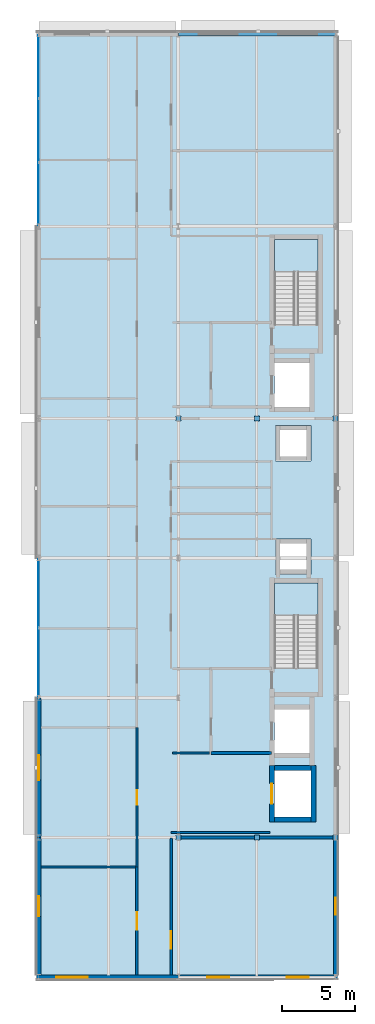
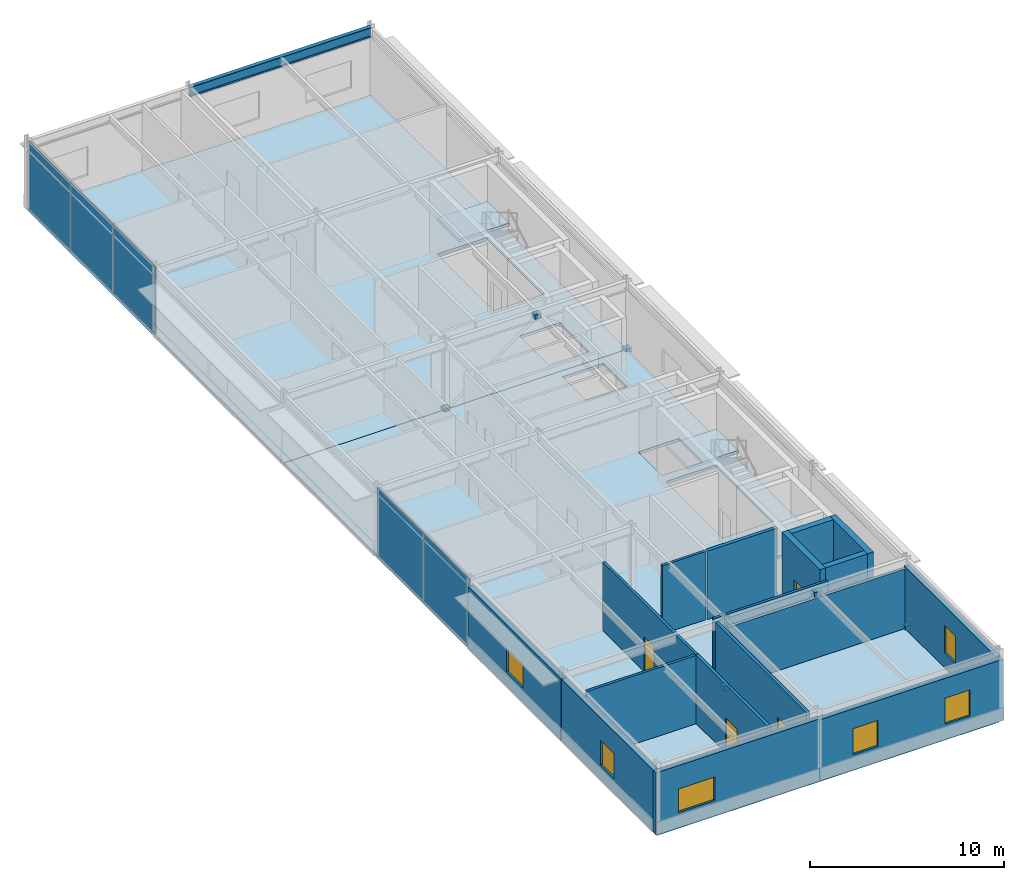
# One storey, part 11 of 17: 17 walls, 11 plates, 6 windows, 4 doors, 4 slabs, 1 beam, 10 openings, 4 elements without a shape of their own.
"""IFC4 building model written with IfcOpenShell, lengths in metres."""

from ifc_helpers import new_model, si_unit, direction, frame, frame_2d, origin, origin_2d, place, context, subcontext, project, spatial, polyline, rectangle, i_section, outline, extrude, material, layer, layer_set, material_profile, profile_set, type_object, element, fill, aggregate, save


model = new_model("IFC4")

# Units and contexts
model_context = context("Model", 3, precision=1e-05, world=origin(), true_north=direction((0.0, 1.0)))
body_context = subcontext(model_context, "Body", "Model", "MODEL_VIEW")
ifc_project = project(units=[si_unit("LENGTHUNIT", "METRE"), si_unit("AREAUNIT", "SQUARE_METRE"), si_unit("VOLUMEUNIT", "CUBIC_METRE"), si_unit("PLANEANGLEUNIT", "RADIAN"), si_unit("MASSUNIT", "GRAM", prefix="KILO")], contexts=[model_context])

# Site, building, storey
site_placement = place(None, origin())
site = spatial("IfcSite", under=ifc_project, at=site_placement, CompositionType="ELEMENT")
building_placement = place(site_placement, origin())
building = spatial("IfcBuilding", under=site, at=building_placement, Name="Almandine Court Research Institute", CompositionType="ELEMENT")
storey_placement = place(building_placement, frame((0.0, 0.0, 32.550048828125)))
storey = spatial("IfcBuildingStorey", under=building, at=storey_placement, Name="L07", CompositionType="ELEMENT", Elevation=32.550048828125)

# Beam
ifc_material_1 = material(Name="Steel ASTM A992 Grade 50", Category="steel")
ifc_material_profile = material_profile(ifc_material_1, i_section(OverallWidth=0.22998046875, OverallDepth=0.616943359375, WebThickness=0.012939453125, FlangeThickness=0.02197265625, at=origin_2d()), Name="W610x140")
ifc_profile_set = profile_set([ifc_material_profile], Name="Steel ASTM A992 Grade 50")
beam_type = type_object("IfcBeamType", Name="Beam-G-02", PredefinedType="BEAM", material=ifc_profile_set)
beam_placement = place(storey_placement, frame((163.199951171875, 70.800048828125, 4.013916015625), z_axis=(1.0, 0.0, 0.0), x_axis=(0.0, 1.0, 0.0)))
element("IfcBeam", 1, at=beam_placement, inside=storey, type_object=beam_type, Name="L07 V4 Primary X Girder", PredefinedType="BEAM", context=body_context, shape_type="SweptSolid", body=[
    extrude(i_section(OverallWidth=0.22998046875, OverallDepth=0.616943359375, WebThickness=0.012939453125, FlangeThickness=0.02197265625, at=origin_2d()), origin(), (0.0, 0.0, 1.0), 10.800048828125),
])

# Curtain wall, plates
ifc_material_2 = material(Name="Unitised Curtain Wall Framing and Solar Glazing", Category="glass")
curtain_wall_type_1 = type_object("IfcCurtainWallType", Name="CW-CWJ-09", PredefinedType="USERDEFINED", material=ifc_material_2)
curtain_wall_1_placement = place(storey_placement, origin())
curtain_wall_1 = element("IfcCurtainWall", 2, at=curtain_wall_1_placement, inside=storey, type_object=curtain_wall_type_1, Name="L07 Wet Lab West Courtyard Jali Curtain Wall 3", ObjectType="SOLAR JALI SCREEN", PredefinedType="USERDEFINED")
ifc_material_3 = material(Name="Perforated Ochre Terracotta Jali Solar Cassette", Category="masonry")
ifc_layer_1 = layer(ifc_material_3, 0.035888671875)
ifc_layer_set_1 = layer_set([ifc_layer_1], Name="Perforated Ochre Terracotta Jali Solar Cassette")
plate_type_1 = type_object("IfcPlateType", Name="CWPnl-JALI-36", PredefinedType="CURTAIN_PANEL", material=ifc_layer_set_1)
plate_1_placement = place(storey_placement, frame((153.60009765625, 27.6181640625, 0.06494140625), z_axis=(0.0, 0.0, 1.0), x_axis=(0.0, 1.0, 0.0)))
plate_1 = element("IfcPlate", 3, at=plate_1_placement, type_object=plate_type_1, Name="CWJ-09 panel 1.1", PredefinedType="CURTAIN_PANEL", context=body_context, shape_type="SweptSolid", body=[
    extrude(rectangle(XDim=4.698486328125, YDim=0.035888671875, at=origin_2d()), origin(), (0.0, 0.0, 1.0), 4.239990234375),
])
plate_2_placement = place(storey_placement, frame((153.60009765625, 32.3818359375, 0.06494140625), z_axis=(0.0, 0.0, 1.0), x_axis=(0.0, 1.0, 0.0)))
plate_2 = element("IfcPlate", 4, at=plate_2_placement, type_object=plate_type_1, Name="CWJ-09 panel 2.1", PredefinedType="CURTAIN_PANEL", context=body_context, shape_type="SweptSolid", body=[
    extrude(rectangle(XDim=4.698486328125, YDim=0.035888671875, at=origin_2d()), origin(), (0.0, 0.0, 1.0), 4.239990234375),
])
aggregate(curtain_wall_1, [plate_1, plate_2])

curtain_wall_type_2 = type_object("IfcCurtainWallType", Name="CW-CWJ-16", PredefinedType="USERDEFINED", material=ifc_material_2)
curtain_wall_2_placement = place(storey_placement, origin())
curtain_wall_2 = element("IfcCurtainWall", 5, at=curtain_wall_2_placement, inside=storey, type_object=curtain_wall_type_2, Name="L07 Wet Lab West Courtyard Jali Curtain Wall 6", ObjectType="SOLAR JALI SCREEN", PredefinedType="USERDEFINED")
plate_3_placement = place(storey_placement, frame((153.60009765625, 59.81884765625, 0.06494140625), z_axis=(0.0, 0.0, 1.0), x_axis=(0.0, 1.0, 0.0)))
plate_3 = element("IfcPlate", 6, at=plate_3_placement, type_object=plate_type_1, Name="CWJ-16 panel 1.1", PredefinedType="CURTAIN_PANEL", context=body_context, shape_type="SweptSolid", body=[
    extrude(rectangle(XDim=4.2998046875, YDim=0.035888671875, at=origin_2d()), origin(), (0.0, 0.0, 1.0), 4.239990234375),
])
plate_4_placement = place(storey_placement, frame((153.60009765625, 64.199951171875, 0.06494140625), z_axis=(0.0, 0.0, 1.0), x_axis=(0.0, 1.0, 0.0)))
plate_4 = element("IfcPlate", 7, at=plate_4_placement, type_object=plate_type_1, Name="CWJ-16 panel 2.1", PredefinedType="CURTAIN_PANEL", context=body_context, shape_type="SweptSolid", body=[
    extrude(rectangle(XDim=4.332275390625, YDim=0.035888671875, at=origin_2d()), origin(), (0.0, 0.0, 1.0), 4.239990234375),
])
plate_5_placement = place(storey_placement, frame((153.60009765625, 68.5810546875, 0.06494140625), z_axis=(0.0, 0.0, 1.0), x_axis=(0.0, 1.0, 0.0)))
plate_5 = element("IfcPlate", 8, at=plate_5_placement, type_object=plate_type_1, Name="CWJ-16 panel 3.1", PredefinedType="CURTAIN_PANEL", context=body_context, shape_type="SweptSolid", body=[
    extrude(rectangle(XDim=4.2998046875, YDim=0.035888671875, at=origin_2d()), origin(), (0.0, 0.0, 1.0), 4.239990234375),
])
aggregate(curtain_wall_2, [plate_3, plate_4, plate_5])

# Plates
ifc_material_4 = material(Name="Steel ASTM A36", Category="steel")
ifc_layer_2 = layer(ifc_material_4, 0.280029296875)
ifc_layer_set_2 = layer_set([ifc_layer_2], Name="Steel ASTM A36")
plate_type_2 = type_object("IfcPlateType", Name="Plate-NPI-03", PredefinedType="SHEET", material=ifc_layer_set_2)
for number, where, z_axis, x_axis, name in (
    (9, (163.199951171875, 15.60009765625, -0.1201171875), (0.0, 0.0, 1.0), (1.0, 0.0, 0.0), "L07 Seismic Brace Gusset Cap Plate V4-BF1-BL"),
    (10, (174.0, 15.60009765625, -0.1201171875), (0.0, 0.0, 1.0), (1.0, 0.0, 0.0), "L07 Seismic Brace Gusset Cap Plate V4-BF1-BR"),
    (11, (168.60009765625, 15.60009765625, 3.91015625), (0.0, 0.0, 1.0), (1.0, 0.0, 0.0), "L07 Seismic Brace Gusset Cap Plate V4-BF1-AP"),
    (12, (163.199951171875, 44.39990234375, -0.1201171875), (0.0, 0.0, 1.0), (1.0, 0.0, 0.0), "L07 Seismic Brace Gusset Cap Plate V4-BF2-BL"),
    (13, (174.0, 44.39990234375, -0.1201171875), (0.0, 0.0, 1.0), (1.0, 0.0, 0.0), "L07 Seismic Brace Gusset Cap Plate V4-BF2-BR"),
    (14, (168.60009765625, 44.39990234375, 3.91015625), (0.0, 0.0, 1.0), (1.0, 0.0, 0.0), "L07 Seismic Brace Gusset Cap Plate V4-BF2-AP"),
):
    element("IfcPlate", number, at=place(storey_placement, frame(where, z_axis=z_axis, x_axis=x_axis)), inside=storey, type_object=plate_type_2, Name=name, PredefinedType="SHEET", context=body_context, shape_type="SweptSolid", body=[
        extrude(rectangle(XDim=0.340087890625, YDim=0.340087890625, at=origin_2d()), origin(), (0.0, 0.0, 1.0), 0.280029296875),
    ])

# Slabs
ifc_material_5 = material(Name="Concrete C35/45", Category="concrete")
ifc_layer_3 = layer(ifc_material_5, 0.1650390625)
ifc_layer_set_3 = layer_set([ifc_layer_3], Name="Concrete C35/45")
slab_type_1 = type_object("IfcSlabType", Name="Slab-FLR-165", PredefinedType="FLOOR", material=ifc_layer_set_3)
slab_1_placement = place(storey_placement, frame((0.0, 0.0, -0.1650390625)))
element("IfcSlab", 15, at=slab_1_placement, inside=storey, type_object=slab_type_1, Name="L07 Volume 4 Wet Laboratory S Floor Slab", PredefinedType="FLOOR", context=body_context, shape_type="SweptSolid", body=[
    extrude(outline(polyline([(153.60009765625, 6.0), (174.0, 6.0), (174.0, 44.39990234375), (153.60009765625, 44.39990234375), (153.60009765625, 6.0)]), holes=[polyline([(172.800048828125, 27.25), (172.800048828125, 33.10009765625), (169.800048828125, 33.10009765625), (169.800048828125, 27.25), (172.800048828125, 27.25)]), polyline([(169.800048828125, 21.39990234375), (172.199951171875, 21.39990234375), (172.199951171875, 24.39990234375), (169.800048828125, 24.39990234375), (169.800048828125, 21.39990234375)]), polyline([(169.800048828125, 17.0), (172.300048828125, 17.0), (172.300048828125, 20.199951171875), (169.800048828125, 20.199951171875), (169.800048828125, 17.0)]), polyline([(169.8798828125, 33.679931640625), (172.320068359375, 33.679931640625), (172.320068359375, 36.1201171875), (169.8798828125, 36.1201171875), (169.8798828125, 33.679931640625)]), polyline([(169.8798828125, 41.47998046875), (172.320068359375, 41.47998046875), (172.320068359375, 43.919921875), (169.8798828125, 43.919921875), (169.8798828125, 41.47998046875)])]), origin(), (0.0, 0.0, 1.0), 0.1650390625),
])
slab_2_placement = place(storey_placement, frame((0.0, 0.0, -0.1650390625)))
element("IfcSlab", 16, at=slab_2_placement, inside=storey, type_object=slab_type_1, Name="L07 Volume 4 Wet Laboratory N Floor Slab", PredefinedType="FLOOR", context=body_context, shape_type="SweptSolid", body=[
    extrude(outline(polyline([(153.60009765625, 44.39990234375), (174.0, 44.39990234375), (174.0, 70.800048828125), (153.60009765625, 70.800048828125), (153.60009765625, 44.39990234375)]), holes=[polyline([(172.800048828125, 50.85009765625), (172.800048828125, 56.699951171875), (169.800048828125, 56.699951171875), (169.800048828125, 50.85009765625), (172.800048828125, 50.85009765625)]), polyline([(169.800048828125, 45.199951171875), (172.199951171875, 45.199951171875), (172.199951171875, 48.199951171875), (169.800048828125, 48.199951171875), (169.800048828125, 45.199951171875)])]), origin(), (0.0, 0.0, 1.0), 0.1650390625),
])

# Stair, slab
stair_type = type_object("IfcStairType", Name="Stair-Core-26R", PredefinedType="HALF_TURN_STAIR", material=ifc_material_5)
stair_1_placement = place(storey_placement, origin())
stair_1 = element("IfcStair", 17, at=stair_1_placement, inside=storey, type_object=stair_type, Name="L07 Wet Lab South High-Rise Core Stair", PredefinedType="HALF_TURN_STAIR")
ifc_layer_4 = layer(ifc_material_5, 0.179931640625)
ifc_layer_set_4 = layer_set([ifc_layer_4], Name="Concrete C35/45")
slab_type_2 = type_object("IfcSlabType", Name="Slab-Landing-180", PredefinedType="LANDING", material=ifc_layer_set_4)
slab_3_placement = place(storey_placement, frame((0.0, 0.0, 2.094970703125)))
slab_3 = element("IfcSlab", 18, at=slab_3_placement, type_object=slab_type_2, Name="ST-07 landing 1", PredefinedType="LANDING", context=body_context, shape_type="SweptSolid", body=[
    extrude(outline(polyline([(172.800048828125, 30.85009765625), (172.800048828125, 33.10009765625), (169.800048828125, 33.10009765625), (169.800048828125, 30.85009765625), (172.800048828125, 30.85009765625)])), origin(), (0.0, 0.0, 1.0), 0.179931640625),
])
aggregate(stair_1, [slab_3])

stair_2_placement = place(storey_placement, origin())
stair_2 = element("IfcStair", 19, at=stair_2_placement, inside=storey, type_object=stair_type, Name="L07 Wet Lab Central High-Rise Core Stair", PredefinedType="HALF_TURN_STAIR")
slab_4_placement = place(storey_placement, frame((0.0, 0.0, 2.094970703125)))
slab_4 = element("IfcSlab", 20, at=slab_4_placement, type_object=slab_type_2, Name="ST-08 landing 1", PredefinedType="LANDING", context=body_context, shape_type="SweptSolid", body=[
    extrude(outline(polyline([(172.800048828125, 54.449951171875), (172.800048828125, 56.699951171875), (169.800048828125, 56.699951171875), (169.800048828125, 54.449951171875), (172.800048828125, 54.449951171875)])), origin(), (0.0, 0.0, 1.0), 0.179931640625),
])
aggregate(stair_2, [slab_4])

# Wall, opening, window
ifc_material_6 = material(Name="Insulated Ochre Terracotta Rainscreen Wall", Category="masonry")
ifc_layer_5 = layer(ifc_material_6, 0.2900390625)
ifc_layer_set_5 = layer_set([ifc_layer_5], Name="Insulated Ochre Terracotta Rainscreen Wall")
wall_type_1 = type_object("IfcWallType", Name="Wall-EXT-TERR-290", PredefinedType="SOLIDWALL", material=ifc_layer_set_5)
wall_1_placement = place(storey_placement, frame((153.60009765625, 6.14892578125, 0.0), z_axis=(0.0, 0.0, 1.0), x_axis=(0.0, 1.0, 0.0)))
wall_1 = element("IfcWall", 21, at=wall_1_placement, inside=storey, type_object=wall_type_1, Name="L07 Wet Lab West Facade Wall 1", PredefinedType="SOLIDWALL", context=body_context, shape_type="SweptSolid", body=[
    extrude(rectangle(XDim=9.447021484375, YDim=0.2900390625, at=frame_2d((4.7236328125, 0.0))), origin(), (0.0, 0.0, 1.0), 3.908935546875),
])
opening_1_placement = place(wall_1_placement, frame((4.033935546875, 0.0, 0.949951171875)))
opening_1 = element("IfcOpeningElement", 22, at=opening_1_placement, cuts=wall_1, Name="Opening WN-75", PredefinedType="OPENING", context=body_context, shape_type="SweptSolid", body=[
    extrude(rectangle(XDim=1.3798828125, YDim=1.56005859375, at=frame_2d((0.68994140625, 0.780029296875))), frame((0.0, 0.155029296875, 0.0), z_axis=(0.0, -1.0, 0.0), x_axis=(1.0, 0.0, 0.0)), (0.0, 0.0, 1.0), 0.31005859375),
])
ifc_material_7 = material(Name="Thermally Broken Low-E Double-Glazed Window", Category="glass")
window_type_1 = type_object("IfcWindowType", Name="Win-WN-75-1380x1560", PartitioningType="SINGLE_PANEL", PredefinedType="WINDOW", material=ifc_material_7)
window_1_placement = place(opening_1_placement, origin())
window_1 = element("IfcWindow", 23, at=window_1_placement, inside=storey, type_object=window_type_1, Name="L07 Modular Recessed Low-E Window 170", OverallHeight=1.56005859375, OverallWidth=1.3798828125, PartitioningType="SINGLE_PANEL", PredefinedType="WINDOW", context=body_context, shape_type="SweptSolid", body=[
    extrude(rectangle(XDim=1.3798828125, YDim=1.56005859375, at=frame_2d((0.68994140625, 0.780029296875))), frame((0.0, 0.030029296875, 0.0), z_axis=(0.0, -1.0, 0.0), x_axis=(1.0, 0.0, 0.0)), (0.0, 0.0, 1.0), 0.06005859375),
])
fill(opening_1, window_1)

wall_2_placement = place(storey_placement, frame((153.60009765625, 15.60400390625, 0.0), z_axis=(0.0, 0.0, 1.0), x_axis=(0.0, 1.0, 0.0)))
wall_2 = element("IfcWall", 24, at=wall_2_placement, inside=storey, type_object=wall_type_1, Name="L07 Wet Lab West Facade Wall 2", PredefinedType="SOLIDWALL", context=body_context, shape_type="SweptSolid", body=[
    extrude(rectangle(XDim=9.592041015625, YDim=0.2900390625, at=frame_2d((4.7958984375, 0.0))), origin(), (0.0, 0.0, 1.0), 3.908935546875),
])
opening_2_placement = place(wall_2_placement, frame((3.94091796875, 0.0, 0.949951171875)))
opening_2 = element("IfcOpeningElement", 25, at=opening_2_placement, cuts=wall_2, Name="Opening WN-12", PredefinedType="OPENING", context=body_context, shape_type="SweptSolid", body=[
    extrude(rectangle(XDim=1.7099609375, YDim=1.47998046875, at=frame_2d((0.85498046875, 0.739990234375))), frame((0.0, 0.155029296875, 0.0), z_axis=(0.0, -1.0, 0.0), x_axis=(1.0, 0.0, 0.0)), (0.0, 0.0, 1.0), 0.31005859375),
])
window_type_2 = type_object("IfcWindowType", Name="Win-WN-12-1710x1480", PartitioningType="SINGLE_PANEL", PredefinedType="WINDOW", material=ifc_material_7)
window_2_placement = place(opening_2_placement, origin())
window_2 = element("IfcWindow", 26, at=window_2_placement, inside=storey, type_object=window_type_2, Name="L07 Modular Recessed Low-E Window 171", OverallHeight=1.47998046875, OverallWidth=1.7099609375, PartitioningType="SINGLE_PANEL", PredefinedType="WINDOW", context=body_context, shape_type="SweptSolid", body=[
    extrude(rectangle(XDim=1.7099609375, YDim=1.47998046875, at=frame_2d((0.85498046875, 0.739990234375))), frame((0.0, 0.030029296875, 0.0), z_axis=(0.0, -1.0, 0.0), x_axis=(1.0, 0.0, 0.0)), (0.0, 0.0, 1.0), 0.06005859375),
])
fill(opening_2, window_2)

wall_3_placement = place(storey_placement, frame((174.0, 15.595947265625, 0.0), z_axis=(0.0, 0.0, 1.0), x_axis=(0.0, -1.0, 0.0)))
wall_3 = element("IfcWall", 27, at=wall_3_placement, inside=storey, type_object=wall_type_1, Name="L07 Wet Lab East Facade Wall 1", PredefinedType="SOLIDWALL", context=body_context, shape_type="SweptSolid", body=[
    extrude(rectangle(XDim=9.447021484375, YDim=0.2900390625, at=frame_2d((4.7236328125, 0.0))), origin(), (0.0, 0.0, 1.0), 3.89892578125),
])
opening_3_placement = place(wall_3_placement, frame((4.14306640625, 0.0, 0.949951171875)))
opening_3 = element("IfcOpeningElement", 28, at=opening_3_placement, cuts=wall_3, Name="Opening WN-83", PredefinedType="OPENING", context=body_context, shape_type="SweptSolid", body=[
    extrude(rectangle(XDim=1.159912109375, YDim=1.719970703125, at=frame_2d((0.580078125, 0.85986328125))), frame((0.0, 0.155029296875, 0.0), z_axis=(0.0, -1.0, 0.0), x_axis=(1.0, 0.0, 0.0)), (0.0, 0.0, 1.0), 0.31005859375),
])
window_type_3 = type_object("IfcWindowType", Name="Win-WN-83-1160x1720", PartitioningType="SINGLE_PANEL", PredefinedType="WINDOW", material=ifc_material_7)
window_3_placement = place(opening_3_placement, origin())
window_3 = element("IfcWindow", 29, at=window_3_placement, inside=storey, type_object=window_type_3, Name="L07 Modular Recessed Low-E Window 180", OverallHeight=1.719970703125, OverallWidth=1.159912109375, PartitioningType="SINGLE_PANEL", PredefinedType="WINDOW", context=body_context, shape_type="SweptSolid", body=[
    extrude(rectangle(XDim=1.159912109375, YDim=1.719970703125, at=frame_2d((0.580078125, 0.85986328125))), frame((0.0, 0.030029296875, 0.0), z_axis=(0.0, -1.0, 0.0), x_axis=(1.0, 0.0, 0.0)), (0.0, 0.0, 1.0), 0.06005859375),
])
fill(opening_3, window_3)

# Wall, openings, windows
wall_4_placement = place(storey_placement, frame((174.14501953125, 6.0, 0.0), z_axis=(0.0, 0.0, 1.0), x_axis=(-1.0, 0.0, 0.0)))
wall_4 = element("IfcWall", 30, at=wall_4_placement, inside=storey, type_object=wall_type_1, Name="L07 Wet Lab South Wall 1", PredefinedType="SOLIDWALL", context=body_context, shape_type="SweptSolid", body=[
    extrude(rectangle(XDim=10.94091796875, YDim=0.2900390625, at=frame_2d((5.470458984375, 0.0))), origin(), (0.0, 0.0, 1.0), 3.829833984375),
])
opening_4_placement = place(wall_4_placement, frame((1.989990234375, 0.0, 0.949951171875)))
opening_4 = element("IfcOpeningElement", 31, at=opening_4_placement, cuts=wall_4, Name="Opening WN-14", PredefinedType="OPENING", context=body_context, shape_type="SweptSolid", body=[
    extrude(rectangle(XDim=1.489990234375, YDim=1.639892578125, at=frame_2d((0.7451171875, 0.81982421875))), frame((0.0, 0.155029296875, 0.0), z_axis=(0.0, -1.0, 0.0), x_axis=(1.0, 0.0, 0.0)), (0.0, 0.0, 1.0), 0.31005859375),
])
opening_5_placement = place(wall_4_placement, frame((7.4609375, 0.0, 0.949951171875)))
opening_5 = element("IfcOpeningElement", 32, at=opening_5_placement, cuts=wall_4, Name="Opening WN-14", PredefinedType="OPENING", context=body_context, shape_type="SweptSolid", body=[
    extrude(rectangle(XDim=1.489990234375, YDim=1.639892578125, at=frame_2d((0.7451171875, 0.81982421875))), frame((0.0, 0.155029296875, 0.0), z_axis=(0.0, -1.0, 0.0), x_axis=(1.0, 0.0, 0.0)), (0.0, 0.0, 1.0), 0.31005859375),
])
window_type_4 = type_object("IfcWindowType", Name="Win-WN-14-1490x1640", PartitioningType="SINGLE_PANEL", PredefinedType="WINDOW", material=ifc_material_7)
window_4_placement = place(opening_4_placement, origin())
window_4 = element("IfcWindow", 33, at=window_4_placement, inside=storey, type_object=window_type_4, Name="L07 Modular Recessed Low-E Window 181", OverallHeight=1.639892578125, OverallWidth=1.489990234375, PartitioningType="SINGLE_PANEL", PredefinedType="WINDOW", context=body_context, shape_type="SweptSolid", body=[
    extrude(rectangle(XDim=1.489990234375, YDim=1.639892578125, at=frame_2d((0.7451171875, 0.81982421875))), frame((0.0, 0.030029296875, 0.0), z_axis=(0.0, -1.0, 0.0), x_axis=(1.0, 0.0, 0.0)), (0.0, 0.0, 1.0), 0.06005859375),
])
fill(opening_4, window_4)
window_5_placement = place(opening_5_placement, origin())
window_5 = element("IfcWindow", 34, at=window_5_placement, inside=storey, type_object=window_type_4, Name="L07 Modular Recessed Low-E Window 182", OverallHeight=1.639892578125, OverallWidth=1.489990234375, PartitioningType="SINGLE_PANEL", PredefinedType="WINDOW", context=body_context, shape_type="SweptSolid", body=[
    extrude(rectangle(XDim=1.489990234375, YDim=1.639892578125, at=frame_2d((0.7451171875, 0.81982421875))), frame((0.0, 0.030029296875, 0.0), z_axis=(0.0, -1.0, 0.0), x_axis=(1.0, 0.0, 0.0)), (0.0, 0.0, 1.0), 0.06005859375),
])
fill(opening_5, window_5)

# Wall, opening, window
wall_5_placement = place(storey_placement, frame((163.196044921875, 6.0, 0.0), z_axis=(0.0, 0.0, 1.0), x_axis=(-1.0, 0.0, 0.0)))
wall_5 = element("IfcWall", 35, at=wall_5_placement, inside=storey, type_object=wall_type_1, Name="L07 Wet Lab South Wall 2", PredefinedType="SOLIDWALL", context=body_context, shape_type="SweptSolid", body=[
    extrude(rectangle(XDim=9.740966796875, YDim=0.2900390625, at=frame_2d((4.87060546875, 0.0))), origin(), (0.0, 0.0, 1.0), 3.89892578125),
])
opening_6_placement = place(wall_5_placement, frame((6.23095703125, 0.0, 0.949951171875)))
opening_6 = element("IfcOpeningElement", 36, at=opening_6_placement, cuts=wall_5, Name="Opening WN-15", PredefinedType="OPENING", context=body_context, shape_type="SweptSolid", body=[
    extrude(rectangle(XDim=2.14990234375, YDim=1.47998046875, at=frame_2d((1.074951171875, 0.739990234375))), frame((0.0, 0.155029296875, 0.0), z_axis=(0.0, -1.0, 0.0), x_axis=(1.0, 0.0, 0.0)), (0.0, 0.0, 1.0), 0.31005859375),
])
window_type_5 = type_object("IfcWindowType", Name="Win-WN-15-2150x1480", PartitioningType="SINGLE_PANEL", PredefinedType="WINDOW", material=ifc_material_7)
window_6_placement = place(opening_6_placement, origin())
window_6 = element("IfcWindow", 37, at=window_6_placement, inside=storey, type_object=window_type_5, Name="L07 Modular Recessed Low-E Window 183", OverallHeight=1.47998046875, OverallWidth=2.14990234375, PartitioningType="SINGLE_PANEL", PredefinedType="WINDOW", context=body_context, shape_type="SweptSolid", body=[
    extrude(rectangle(XDim=2.14990234375, YDim=1.47998046875, at=frame_2d((1.074951171875, 0.739990234375))), frame((0.0, 0.030029296875, 0.0), z_axis=(0.0, -1.0, 0.0), x_axis=(1.0, 0.0, 0.0)), (0.0, 0.0, 1.0), 0.06005859375),
])
fill(opening_6, window_6)

# Wall, opening, door
ifc_material_8 = material(Name="One-Hour Fire-Rated Laboratory Partition")
ifc_layer_6 = layer(ifc_material_8, 0.175048828125)
ifc_layer_set_6 = layer_set([ifc_layer_6], Name="One-Hour Fire-Rated Laboratory Partition")
wall_type_2 = type_object("IfcWallType", Name="Wall-FIRE-175", PredefinedType="PARTITIONING", material=ifc_layer_set_6)
wall_6_placement = place(storey_placement, frame((160.35009765625, 6.159912109375, 0.0), z_axis=(0.0, 0.0, 1.0), x_axis=(0.0, 1.0, 0.0)))
wall_6 = element("IfcWall", 38, at=wall_6_placement, inside=storey, type_object=wall_type_2, Name="L07 Interior Partition W-V4-L07-WW-0", PredefinedType="PARTITIONING", context=body_context, shape_type="SweptSolid", body=[
    extrude(rectangle(XDim=7.400146484375, YDim=0.175048828125, at=frame_2d((3.7001953125, 0.0))), origin(), (0.0, 0.0, 1.0), 4.300048828125),
])
opening_7_placement = place(wall_6_placement, frame((3.10009765625, 0.0, 0.0)))
opening_7 = element("IfcOpeningElement", 39, at=opening_7_placement, cuts=wall_6, Name="Opening FD-LAB", PredefinedType="OPENING", context=body_context, shape_type="SweptSolid", body=[
    extrude(rectangle(XDim=1.199951171875, YDim=2.199951171875, at=frame_2d((0.60009765625, 1.10009765625))), frame((0.0, 0.097412109375, 0.0), z_axis=(0.0, -1.0, 0.0), x_axis=(1.0, 0.0, 0.0)), (0.0, 0.0, 1.0), 0.195068359375),
])
ifc_material_9 = material(Name="Fire-Rated Laboratory Containment Door")
door_type_1 = type_object("IfcDoorType", Name="Door-FD-LAB-1200", OperationType="NOTDEFINED", PredefinedType="DOOR", material=ifc_material_9)
door_1_placement = place(opening_7_placement, origin())
door_1 = element("IfcDoor", 40, at=door_1_placement, inside=storey, type_object=door_type_1, Name="L07 Wet Chemistry Laboratory Door", OperationType="SINGLE_SWING_RIGHT", OverallHeight=2.199951171875, OverallWidth=1.199951171875, PredefinedType="DOOR", context=body_context, shape_type="SweptSolid", body=[
    extrude(rectangle(XDim=1.199951171875, YDim=2.199951171875, at=frame_2d((0.60009765625, 1.10009765625))), frame((0.0, 0.02490234375, 0.0), z_axis=(0.0, -1.0, 0.0), x_axis=(1.0, 0.0, 0.0)), (0.0, 0.0, 1.0), 0.050048828125),
])
fill(opening_7, door_1)

wall_7_placement = place(storey_placement, frame((162.699951171875, 6.159912109375, 0.0), z_axis=(0.0, 0.0, 1.0), x_axis=(0.0, 1.0, 0.0)))
wall_7 = element("IfcWall", 41, at=wall_7_placement, inside=storey, type_object=wall_type_2, Name="L07 Interior Partition W-V4-L07-EW-S", PredefinedType="PARTITIONING", context=body_context, shape_type="SweptSolid", body=[
    extrude(rectangle(XDim=9.39013671875, YDim=0.175048828125, at=frame_2d((4.695068359375, 0.0))), origin(), (0.0, 0.0, 1.0), 4.300048828125),
])
opening_8_placement = place(wall_7_placement, frame((1.800048828125, 0.0, 0.0)))
opening_8 = element("IfcOpeningElement", 42, at=opening_8_placement, cuts=wall_7, Name="Opening FD-LAB", PredefinedType="OPENING", context=body_context, shape_type="SweptSolid", body=[
    extrude(rectangle(XDim=1.199951171875, YDim=2.199951171875, at=frame_2d((0.60009765625, 1.10009765625))), frame((0.0, 0.097412109375, 0.0), z_axis=(0.0, -1.0, 0.0), x_axis=(1.0, 0.0, 0.0)), (0.0, 0.0, 1.0), 0.195068359375),
])
door_2_placement = place(opening_8_placement, origin())
door_2 = element("IfcDoor", 43, at=door_2_placement, inside=storey, type_object=door_type_1, Name="L07 Analytical Lab Door", OperationType="SINGLE_SWING_LEFT", OverallHeight=2.199951171875, OverallWidth=1.199951171875, PredefinedType="DOOR", context=body_context, shape_type="SweptSolid", body=[
    extrude(rectangle(XDim=1.199951171875, YDim=2.199951171875, at=frame_2d((0.60009765625, 1.10009765625))), frame((0.0, 0.02490234375, 0.0), z_axis=(0.0, -1.0, 0.0), x_axis=(1.0, 0.0, 0.0)), (0.0, 0.0, 1.0), 0.050048828125),
])
fill(opening_8, door_2)

# Walls
ifc_material_10 = material(Name="Two-Hour Fire-Barrier Enclosure Wall")
ifc_layer_7 = layer(ifc_material_10, 0.199951171875)
ifc_layer_set_7 = layer_set([ifc_layer_7], Name="Two-Hour Fire-Barrier Enclosure Wall")
wall_type_3 = type_object("IfcWallType", Name="Wall-FIRE-200", PredefinedType="SOLIDWALL", material=ifc_layer_set_7)
wall_8_placement = place(storey_placement, frame((163.360107421875, 15.60009765625, 0.0), z_axis=(0.0, 0.0, 1.0), x_axis=(1.0, 0.0, 0.0)))
element("IfcWall", 44, at=wall_8_placement, inside=storey, type_object=wall_type_3, Name="L07 Interior Partition W-BF-V4-BF1-L07", PredefinedType="SOLIDWALL", context=body_context, shape_type="SweptSolid", body=[
    extrude(rectangle(XDim=10.47998046875, YDim=0.199951171875, at=frame_2d((5.239990234375, 0.0))), origin(), (0.0, 0.0, 1.0), 3.7529296875),
])
wall_9_placement = place(storey_placement, frame((165.449951171875, 21.39990234375, 0.0), z_axis=(0.0, 0.0, 1.0), x_axis=(1.0, 0.0, 0.0)))
element("IfcWall", 45, at=wall_9_placement, inside=storey, type_object=wall_type_3, Name="L07 Interior Partition W-FFL1-L07-S", PredefinedType="SOLIDWALL", context=body_context, shape_type="SweptSolid", body=[
    extrude(rectangle(XDim=4.150146484375, YDim=0.199951171875, at=frame_2d((2.0751953125, 0.0))), origin(), (0.0, 0.0, 1.0), 4.300048828125),
])
ifc_material_11 = material(Name="Acoustic Steel-Stud Gypsum Partition Wall", Category="steel")
ifc_layer_8 = layer(ifc_material_11, 0.14990234375)
ifc_layer_set_8 = layer_set([ifc_layer_8], Name="Acoustic Steel-Stud Gypsum Partition Wall")
wall_type_4 = type_object("IfcWallType", Name="Wall-PART-150", PredefinedType="PARTITIONING", material=ifc_layer_set_8)
wall_10_placement = place(storey_placement, frame((153.760009765625, 13.56005859375, 0.0), z_axis=(0.0, 0.0, 1.0), x_axis=(1.0, 0.0, 0.0)))
element("IfcWall", 46, at=wall_10_placement, inside=storey, type_object=wall_type_4, Name="L07 Interior Partition W-V4-L07-WDIV-0", PredefinedType="PARTITIONING", context=body_context, shape_type="SweptSolid", body=[
    extrude(rectangle(XDim=6.510009765625, YDim=0.14990234375, at=frame_2d((3.2548828125, 0.0))), origin(), (0.0, 0.0, 1.0), 4.300048828125),
])

# Wall, opening, door
wall_11_placement = place(storey_placement, frame((160.35009765625, 13.56005859375, 0.0), z_axis=(0.0, 0.0, 1.0), x_axis=(0.0, 1.0, 0.0)))
wall_11 = element("IfcWall", 47, at=wall_11_placement, inside=storey, type_object=wall_type_4, Name="L07 Interior Partition W-V4-L07-WW-1", PredefinedType="PARTITIONING", context=body_context, shape_type="SweptSolid", body=[
    extrude(rectangle(XDim=9.599853515625, YDim=0.14990234375, at=frame_2d((4.7998046875, 0.0))), origin(), (0.0, 0.0, 1.0), 4.300048828125),
])
opening_9_placement = place(wall_11_placement, frame((4.300048828125, 0.0, 0.0)))
opening_9 = element("IfcOpeningElement", 48, at=opening_9_placement, cuts=wall_11, Name="Opening D-02", PredefinedType="OPENING", context=body_context, shape_type="SweptSolid", body=[
    extrude(rectangle(XDim=1.0, YDim=2.199951171875, at=frame_2d((0.5, 1.10009765625))), frame((0.0, 0.0849609375, 0.0), z_axis=(0.0, -1.0, 0.0), x_axis=(1.0, 0.0, 0.0)), (0.0, 0.0, 1.0), 0.169921875),
])
ifc_material_12 = material(Name="Solid-Core Timber Researcher Office Door", Category="wood")
door_type_2 = type_object("IfcDoorType", Name="Door-INT-1000", OperationType="NOTDEFINED", PredefinedType="DOOR", material=ifc_material_12)
door_3_placement = place(opening_9_placement, origin())
door_3 = element("IfcDoor", 49, at=door_3_placement, inside=storey, type_object=door_type_2, Name="L07 Faculty Study Door", OperationType="SINGLE_SWING_LEFT", OverallHeight=2.199951171875, OverallWidth=1.0, PredefinedType="DOOR", context=body_context, shape_type="SweptSolid", body=[
    extrude(rectangle(XDim=1.0, YDim=2.199951171875, at=frame_2d((0.5, 1.10009765625))), frame((0.0, 0.02490234375, 0.0), z_axis=(0.0, -1.0, 0.0), x_axis=(1.0, 0.0, 0.0)), (0.0, 0.0, 1.0), 0.050048828125),
])
fill(opening_9, door_3)

# Walls
wall_12_placement = place(storey_placement, frame((162.780029296875, 21.39990234375, 0.0), z_axis=(0.0, 0.0, 1.0), x_axis=(1.0, 0.0, 0.0)))
element("IfcWall", 50, at=wall_12_placement, inside=storey, type_object=wall_type_4, Name="L07 Interior Partition W-V4-L07-FFL1-CS", PredefinedType="PARTITIONING", context=body_context, shape_type="SweptSolid", body=[
    extrude(rectangle(XDim=2.570068359375, YDim=0.14990234375, at=frame_2d((1.28515625, 0.0))), origin(), (0.0, 0.0, 1.0), 4.300048828125),
])
wall_13_placement = place(storey_placement, frame((162.699951171875, 15.949951171875, 0.0), z_axis=(0.0, 0.0, 1.0), x_axis=(1.0, 0.0, 0.0)))
element("IfcWall", 51, at=wall_13_placement, inside=storey, type_object=wall_type_4, Name="L07 Interior Partition W-V4-L07-GL1-CS", PredefinedType="PARTITIONING", context=body_context, shape_type="SweptSolid", body=[
    extrude(rectangle(XDim=6.800048828125, YDim=0.14990234375, at=frame_2d((3.39990234375, 0.0))), origin(), (0.0, 0.0, 1.0), 4.300048828125),
])

# Wall, opening, door
ifc_material_13 = material(Name="Concrete C40/50", Category="concrete")
ifc_layer_9 = layer(ifc_material_13, 0.35009765625)
ifc_layer_set_9 = layer_set([ifc_layer_9], Name="Concrete C40/50")
wall_type_5 = type_object("IfcWallType", Name="Wall-SW-CORE-350", PredefinedType="SHEAR", material=ifc_layer_set_9)
wall_14_placement = place(storey_placement, frame((169.625, 16.64990234375, 0.0), z_axis=(0.0, 0.0, 1.0), x_axis=(0.0, 1.0, 0.0)))
wall_14 = element("IfcWall", 52, at=wall_14_placement, inside=storey, type_object=wall_type_5, Name="L07 GL-01 Hoistway W Shear Wall", PredefinedType="SHEAR", context=body_context, shape_type="SweptSolid", body=[
    extrude(rectangle(XDim=3.900146484375, YDim=0.35009765625, at=frame_2d((1.9501953125, 0.0))), origin(), (0.0, 0.0, 1.0), 4.550048828125),
])
opening_10_placement = place(wall_14_placement, frame((1.25, 0.0, 0.0)))
opening_10 = element("IfcOpeningElement", 53, at=opening_10_placement, cuts=wall_14, Name="Opening LD-03", PredefinedType="OPENING", context=body_context, shape_type="SweptSolid", body=[
    extrude(rectangle(XDim=1.39990234375, YDim=2.300048828125, at=frame_2d((0.699951171875, 1.14990234375))), frame((0.0, 0.18505859375, 0.0), z_axis=(0.0, -1.0, 0.0), x_axis=(1.0, 0.0, 0.0)), (0.0, 0.0, 1.0), 0.3701171875),
])
ifc_material_14 = material(Name="Heavy Goods Lift Landing Sliding Door")
door_type_3 = type_object("IfcDoorType", Name="Door-LD-GOOD-1400", OperationType="SLIDING_TO_LEFT", PredefinedType="USERDEFINED", material=ifc_material_14)
door_4_placement = place(opening_10_placement, origin())
door_4 = element("IfcDoor", 54, at=door_4_placement, inside=storey, type_object=door_type_3, Name="L07 Wet Laboratory Goods Lift GL-01 Sliding Landing Door", ObjectType="LANDING DOOR", OperationType="SLIDING_TO_LEFT", OverallHeight=2.300048828125, OverallWidth=1.39990234375, PredefinedType="USERDEFINED", context=body_context, shape_type="SweptSolid", body=[
    extrude(rectangle(XDim=1.39990234375, YDim=2.300048828125, at=frame_2d((0.699951171875, 1.14990234375))), frame((0.0, 0.02490234375, 0.0), z_axis=(0.0, -1.0, 0.0), x_axis=(1.0, 0.0, 0.0)), (0.0, 0.0, 1.0), 0.050048828125),
])
fill(opening_10, door_4)

# Walls
wall_15_placement = place(storey_placement, frame((169.800048828125, 20.375, 0.0), z_axis=(0.0, 0.0, 1.0), x_axis=(1.0, 0.0, 0.0)))
element("IfcWall", 55, at=wall_15_placement, inside=storey, type_object=wall_type_5, Name="L07 GL-01 Hoistway N Shear Wall", PredefinedType="SHEAR", context=body_context, shape_type="SweptSolid", body=[
    extrude(rectangle(XDim=2.5, YDim=0.35009765625, at=frame_2d((1.25, 0.0))), origin(), (0.0, 0.0, 1.0), 4.550048828125),
])
wall_16_placement = place(storey_placement, frame((172.47509765625, 20.550048828125, 0.0), z_axis=(0.0, 0.0, 1.0), x_axis=(0.0, -1.0, 0.0)))
element("IfcWall", 56, at=wall_16_placement, inside=storey, type_object=wall_type_5, Name="L07 GL-01 Hoistway E Shear Wall", PredefinedType="SHEAR", context=body_context, shape_type="SweptSolid", body=[
    extrude(rectangle(XDim=3.900146484375, YDim=0.35009765625, at=frame_2d((1.9501953125, 0.0))), origin(), (0.0, 0.0, 1.0), 4.550048828125),
])
wall_17_placement = place(storey_placement, frame((172.300048828125, 16.824951171875, 0.0), z_axis=(0.0, 0.0, 1.0), x_axis=(-1.0, 0.0, 0.0)))
element("IfcWall", 57, at=wall_17_placement, inside=storey, type_object=wall_type_5, Name="L07 GL-01 Hoistway S Shear Wall", PredefinedType="SHEAR", context=body_context, shape_type="SweptSolid", body=[
    extrude(rectangle(XDim=2.5, YDim=0.35009765625, at=frame_2d((1.25, 0.0))), origin(), (0.0, 0.0, 1.0), 4.550048828125),
])

save(model, "model.ifc")
